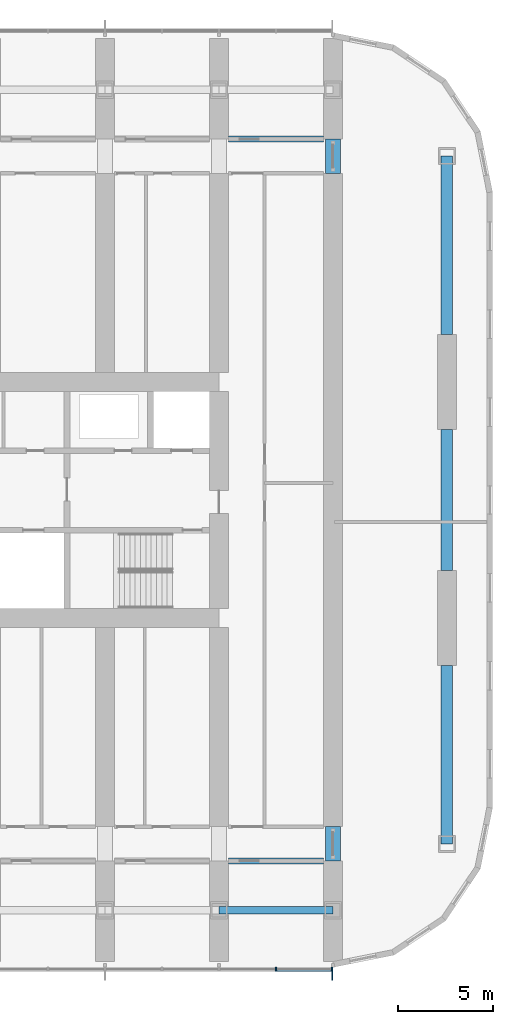
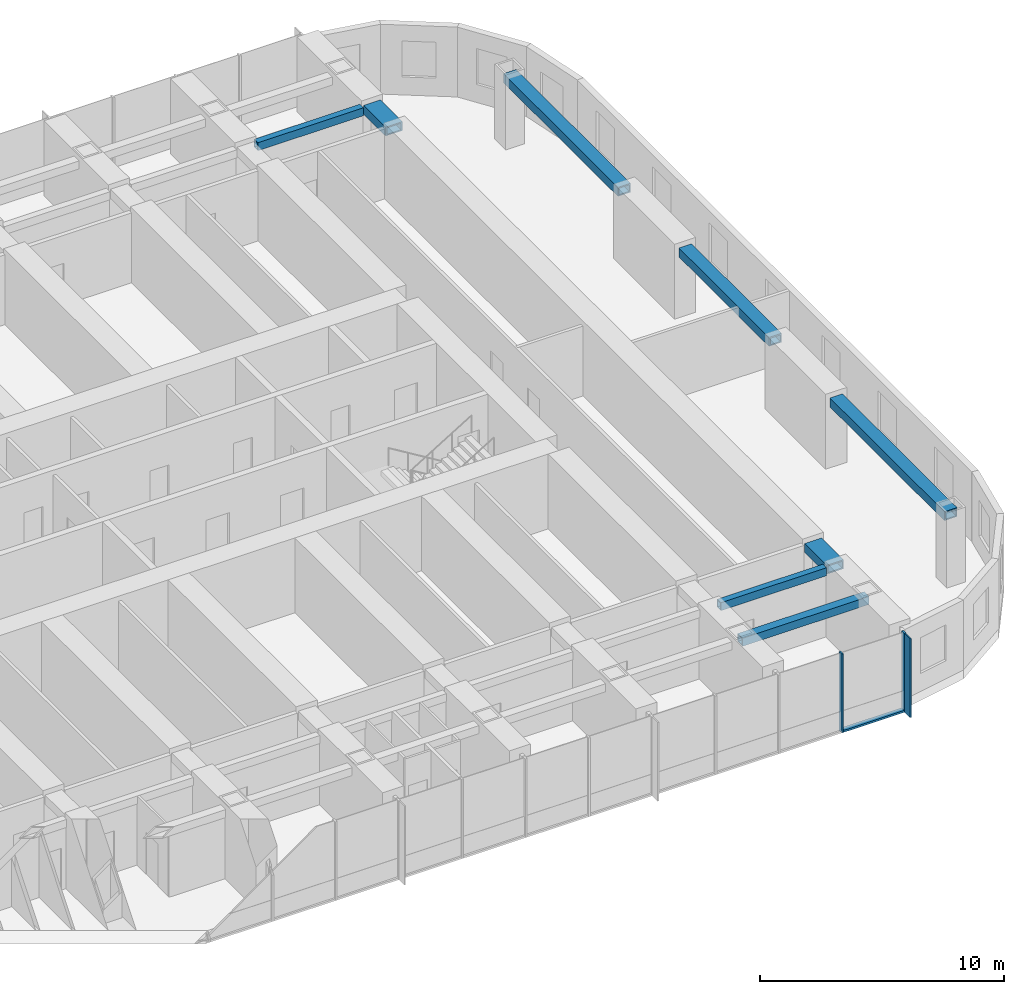
# One storey, part 8 of 26: 8 beams, 4 members, 1 element without a shape of its own.
"""IFC4 building model written with IfcOpenShell, lengths in metres."""

from ifc_helpers import new_model, si_unit, direction, frame, origin, origin_2d, place, context, subcontext, project, spatial, rectangle, hollow_rectangle, extrude, material, material_profile, profile_set, type_object, element, aggregate, save


model = new_model("IFC4")

# Units and contexts
model_context = context("Model", 3, precision=1e-05, world=origin(), true_north=direction((0.0, 1.0)))
body_context = subcontext(model_context, "Body", "Model", "MODEL_VIEW")
ifc_project = project(units=[si_unit("LENGTHUNIT", "METRE"), si_unit("AREAUNIT", "SQUARE_METRE"), si_unit("VOLUMEUNIT", "CUBIC_METRE"), si_unit("PLANEANGLEUNIT", "RADIAN"), si_unit("MASSUNIT", "GRAM", prefix="KILO")], contexts=[model_context])

# Site, building, storey
site_placement = place(None, origin())
site = spatial("IfcSite", under=ifc_project, at=site_placement, CompositionType="ELEMENT")
building_placement = place(site_placement, origin())
building = spatial("IfcBuilding", under=site, at=building_placement, Name="Orbita Commons", CompositionType="ELEMENT")
storey_placement = place(building_placement, frame((0.0, 0.0, 53.949951171875)))
storey = spatial("IfcBuildingStorey", under=building, at=storey_placement, Name="L13", CompositionType="ELEMENT", Elevation=53.949951171875)

# Curtain wall, members
ifc_material_1 = material(Name="Anodised aluminium frame, pale silver", Category="aluminium")
curtain_wall_type = type_object("IfcCurtainWallType", Name="Unitised curtain wall CW-T, vision and spandrel", PredefinedType="NOTDEFINED", material=ifc_material_1)
curtain_wall_placement = place(storey_placement, origin())
curtain_wall = element("IfcCurtainWall", 1, at=curtain_wall_placement, inside=storey, type_object=curtain_wall_type, Name="Curtain wall south L13", PredefinedType="NOTDEFINED")
ifc_material_2 = material(Name="Anodised aluminium, pale silver", Category="aluminium")
ifc_material_profile_1 = material_profile(ifc_material_2, rectangle(XDim=0.080078125, YDim=0.219970703125, at=origin_2d()), Name="AL 80x220")
ifc_profile_set_1 = profile_set([ifc_material_profile_1], Name="Anodised aluminium, pale silver")
member_type_1 = type_object("IfcMemberType", Name="Curtain wall mullion 80x220", PredefinedType="MULLION", material=ifc_profile_set_1)
member_1_placement = place(storey_placement, frame((69.0, 7.2900390625, -0.449951171875), z_axis=(0.0, 0.0, 1.0), x_axis=(1.0, 0.0, 0.0)))
member_1 = element("IfcMember", 2, at=member_1_placement, type_object=member_type_1, Name="Mullion 20 CW-L13-S", PredefinedType="MULLION", context=body_context, shape_type="SweptSolid", body=[
    extrude(rectangle(XDim=0.080078125, YDim=0.219970703125, at=origin_2d()), origin(), (0.0, 0.0, 1.0), 3.949951171875),
])
member_2_placement = place(storey_placement, frame((71.9599609375, 7.2900390625, -0.449951171875), z_axis=(0.0, 0.0, 1.0), x_axis=(1.0, 0.0, 0.0)))
member_2 = element("IfcMember", 3, at=member_2_placement, type_object=member_type_1, Name="Mullion 21 CW-L13-S", PredefinedType="MULLION", context=body_context, shape_type="SweptSolid", body=[
    extrude(rectangle(XDim=0.080078125, YDim=0.219970703125, at=origin_2d()), origin(), (0.0, 0.0, 1.0), 3.949951171875),
])
ifc_material_3 = material(Name="Anodised aluminium, pale silver", Category="aluminium")
ifc_material_profile_2 = material_profile(ifc_material_3, rectangle(XDim=0.219970703125, YDim=0.10009765625, at=origin_2d()), Name="AL 220x100")
ifc_profile_set_2 = profile_set([ifc_material_profile_2], Name="Anodised aluminium, pale silver")
member_type_2 = type_object("IfcMemberType", Name="Curtain wall stack transom 220x100", PredefinedType="USERDEFINED", material=ifc_profile_set_2)
member_3_placement = place(storey_placement, frame((69.0400390625, 7.2900390625, -0.39990234375), z_axis=(1.0, 0.0, 0.0), x_axis=(0.0, 1.0, 0.0)))
member_3 = element("IfcMember", 4, at=member_3_placement, type_object=member_type_2, Name="Transom 20.1 CW-L13-S", ObjectType="TRANSOM", PredefinedType="USERDEFINED", context=body_context, shape_type="SweptSolid", body=[
    extrude(rectangle(XDim=0.219970703125, YDim=0.10009765625, at=origin_2d()), origin(), (0.0, 0.0, 1.0), 2.8798828125),
])

# Beams
ifc_material_4 = material(Name="Steel ASTM A572 Gr 50 welded plate", Category="steel")
ifc_material_profile_3 = material_profile(ifc_material_4, hollow_rectangle(XDim=0.300048828125, YDim=0.39990234375, WallThickness=0.0400390625, at=origin_2d()), Name="BOX 400x300x40")
ifc_profile_set_3 = profile_set([ifc_material_profile_3], Name="Steel ASTM A572 Gr 50 welded plate")
beam_type_1 = type_object("IfcBeamType", Name="Steel corridor link BOX 400x300x40", PredefinedType="BEAM", material=ifc_profile_set_3)
for number, where, z_axis, x_axis, name in (
    (5, (66.5, 13.0, 3.300048828125), (1.0, 0.0, 0.0), (0.0, 1.0, 0.0), "Corridor beam SA 12-13 L13"),
    (6, (66.5, 51.0, 3.300048828125), (1.0, 0.0, 0.0), (0.0, 1.0, 0.0), "Corridor beam NB 12-13 L13"),
):
    element("IfcBeam", number, at=place(storey_placement, frame(where, z_axis=z_axis, x_axis=x_axis)), inside=storey, type_object=beam_type_1, Name=name, PredefinedType="BEAM", context=body_context, shape_type="SweptSolid", body=[
        extrude(hollow_rectangle(XDim=0.300048828125, YDim=0.39990234375, WallThickness=0.0400390625, at=origin_2d()), origin(), (0.0, 0.0, 1.0), 5.0),
    ])
ifc_material_5 = material(Name="Steel ASTM A572 Gr 50 welded plate", Category="steel")
ifc_material_profile_4 = material_profile(ifc_material_5, hollow_rectangle(XDim=0.800048828125, YDim=0.449951171875, WallThickness=0.06005859375, at=origin_2d()), Name="BOX 450x800x60")
ifc_profile_set_4 = profile_set([ifc_material_profile_4], Name="Steel ASTM A572 Gr 50 welded plate")
beam_type_2 = type_object("IfcBeamType", Name="Steel coupling link BOX 450x800x60", PredefinedType="LINTEL", material=ifc_profile_set_4)
for number, where, z_axis, x_axis, name in (
    (7, (72.0, 13.0, 3.275146484375), (0.0, 1.0, 0.0), (-1.0, 0.0, 0.0), "Coupling beam 13 south L13"),
    (8, (72.0, 49.199951171875, 3.275146484375), (0.0, 1.0, 0.0), (-1.0, 0.0, 0.0), "Coupling beam 13 north L13"),
):
    element("IfcBeam", number, at=place(storey_placement, frame(where, z_axis=z_axis, x_axis=x_axis)), inside=storey, type_object=beam_type_2, Name=name, PredefinedType="LINTEL", context=body_context, shape_type="SweptSolid", body=[
        extrude(hollow_rectangle(XDim=0.800048828125, YDim=0.449951171875, WallThickness=0.06005859375, at=origin_2d()), origin(), (0.0, 0.0, 1.0), 1.800048828125),
    ])
ifc_material_6 = material(Name="Steel ASTM A572 Gr 50 welded plate", Category="steel")
ifc_material_profile_5 = material_profile(ifc_material_6, hollow_rectangle(XDim=0.60009765625, YDim=0.449951171875, WallThickness=0.06005859375, at=origin_2d()), Name="BOX 450x600x60")
ifc_profile_set_5 = profile_set([ifc_material_profile_5], Name="Steel ASTM A572 Gr 50 welded plate")
beam_type_3 = type_object("IfcBeamType", Name="Steel end frame link BOX 450x600x60", PredefinedType="BEAM", material=ifc_profile_set_5)
beam_1_placement = place(storey_placement, frame((78.0, 13.89990234375, 3.275146484375), z_axis=(0.0, 1.0, 0.0), x_axis=(-1.0, 0.0, 0.0)))
element("IfcBeam", 9, at=beam_1_placement, inside=storey, type_object=beam_type_3, Name="End frame beam 14 B-C L13", PredefinedType="BEAM", context=body_context, shape_type="SweptSolid", body=[
    extrude(hollow_rectangle(XDim=0.60009765625, YDim=0.449951171875, WallThickness=0.06005859375, at=origin_2d()), origin(), (0.0, 0.0, 1.0), 9.400146484375),
])
beam_2_placement = place(storey_placement, frame((78.0, 28.300048828125, 3.275146484375), z_axis=(0.0, 1.0, 0.0), x_axis=(-1.0, 0.0, 0.0)))
element("IfcBeam", 10, at=beam_2_placement, inside=storey, type_object=beam_type_3, Name="End frame beam 14 C-D L13", PredefinedType="BEAM", context=body_context, shape_type="SweptSolid", body=[
    extrude(hollow_rectangle(XDim=0.60009765625, YDim=0.449951171875, WallThickness=0.06005859375, at=origin_2d()), origin(), (0.0, 0.0, 1.0), 7.39990234375),
])
beam_3_placement = place(storey_placement, frame((78.0, 40.699951171875, 3.275146484375), z_axis=(0.0, 1.0, 0.0), x_axis=(-1.0, 0.0, 0.0)))
element("IfcBeam", 11, at=beam_3_placement, inside=storey, type_object=beam_type_3, Name="End frame beam 14 D-E L13", PredefinedType="BEAM", context=body_context, shape_type="SweptSolid", body=[
    extrude(hollow_rectangle(XDim=0.60009765625, YDim=0.449951171875, WallThickness=0.06005859375, at=origin_2d()), origin(), (0.0, 0.0, 1.0), 9.400146484375),
])
ifc_material_7 = material(Name="Steel ASTM A572 Gr 50 welded plate", Category="steel")
ifc_material_profile_6 = material_profile(ifc_material_7, hollow_rectangle(XDim=0.39990234375, YDim=0.39990234375, WallThickness=0.0400390625, at=origin_2d()), Name="BOX 400x400x40")
ifc_profile_set_6 = profile_set([ifc_material_profile_6], Name="Steel ASTM A572 Gr 50 welded plate")
beam_type_4 = type_object("IfcBeamType", Name="Steel spandrel BOX 400x400x40", PredefinedType="SPANDREL", material=ifc_profile_set_6)
beam_4_placement = place(storey_placement, frame((66.0, 10.39990234375, 3.300048828125), z_axis=(1.0, 0.0, 0.0), x_axis=(0.0, 1.0, 0.0)))
element("IfcBeam", 12, at=beam_4_placement, inside=storey, type_object=beam_type_4, Name="Spandrel beam B 12-13 L13", PredefinedType="SPANDREL", context=body_context, shape_type="SweptSolid", body=[
    extrude(hollow_rectangle(XDim=0.39990234375, YDim=0.39990234375, WallThickness=0.0400390625, at=origin_2d()), origin(), (0.0, 0.0, 1.0), 6.0),
])

# Member
ifc_material_8 = material(Name="Anodised aluminium, pale silver", Category="aluminium")
ifc_material_profile_7 = material_profile(ifc_material_8, rectangle(XDim=0.06005859375, YDim=0.449951171875, at=origin_2d()), Name="FIN 60x450")
ifc_profile_set_7 = profile_set([ifc_material_profile_7], Name="Anodised aluminium, pale silver")
member_type_3 = type_object("IfcMemberType", Name="Vertical fin 60x450 pale aluminium", PredefinedType="USERDEFINED", material=ifc_profile_set_7)
member_4_placement = place(storey_placement, frame((71.9599609375, 6.955078125, -0.449951171875), z_axis=(0.0, 0.0, 1.0), x_axis=(1.0, 0.0, 0.0)))
member_4 = element("IfcMember", 13, at=member_4_placement, type_object=member_type_3, Name="Fin 21 CW-L13-S", ObjectType="FIN", PredefinedType="USERDEFINED", context=body_context, shape_type="SweptSolid", body=[
    extrude(rectangle(XDim=0.06005859375, YDim=0.449951171875, at=origin_2d()), origin(), (0.0, 0.0, 1.0), 3.949951171875),
])

aggregate(curtain_wall, [member_1, member_2, member_4, member_3])

save(model, "model.ifc")
